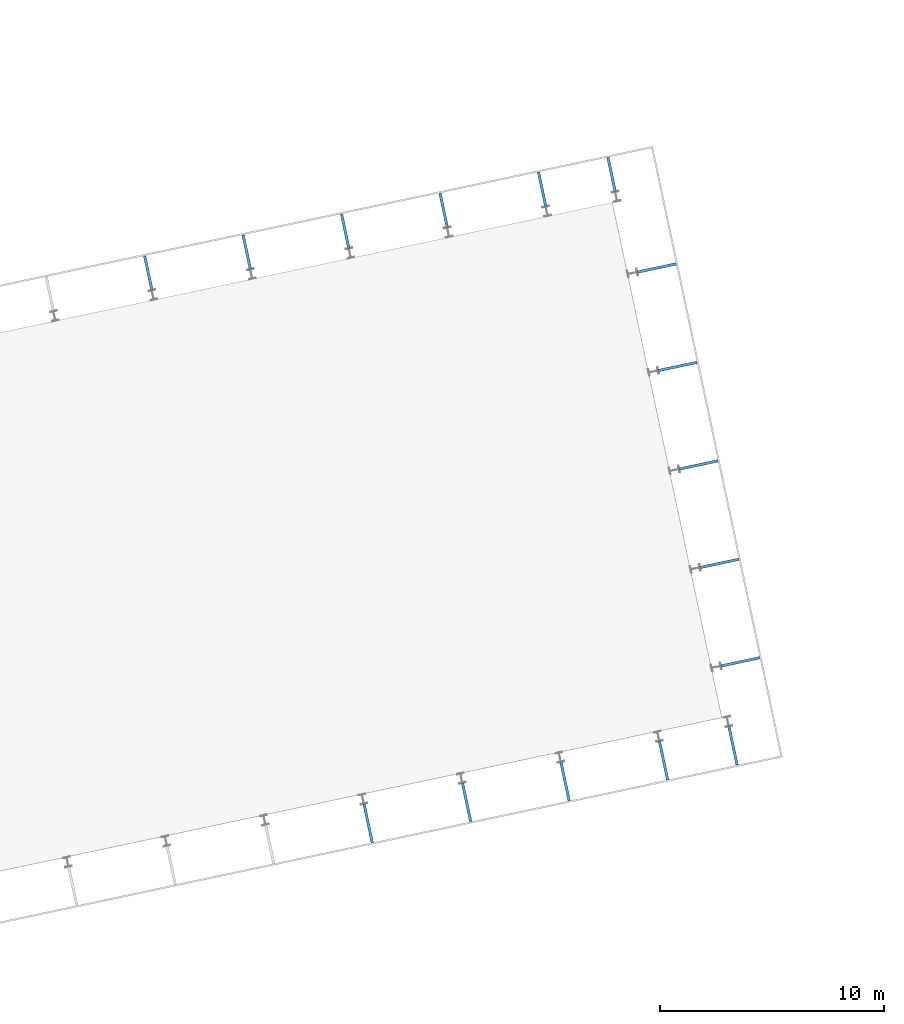
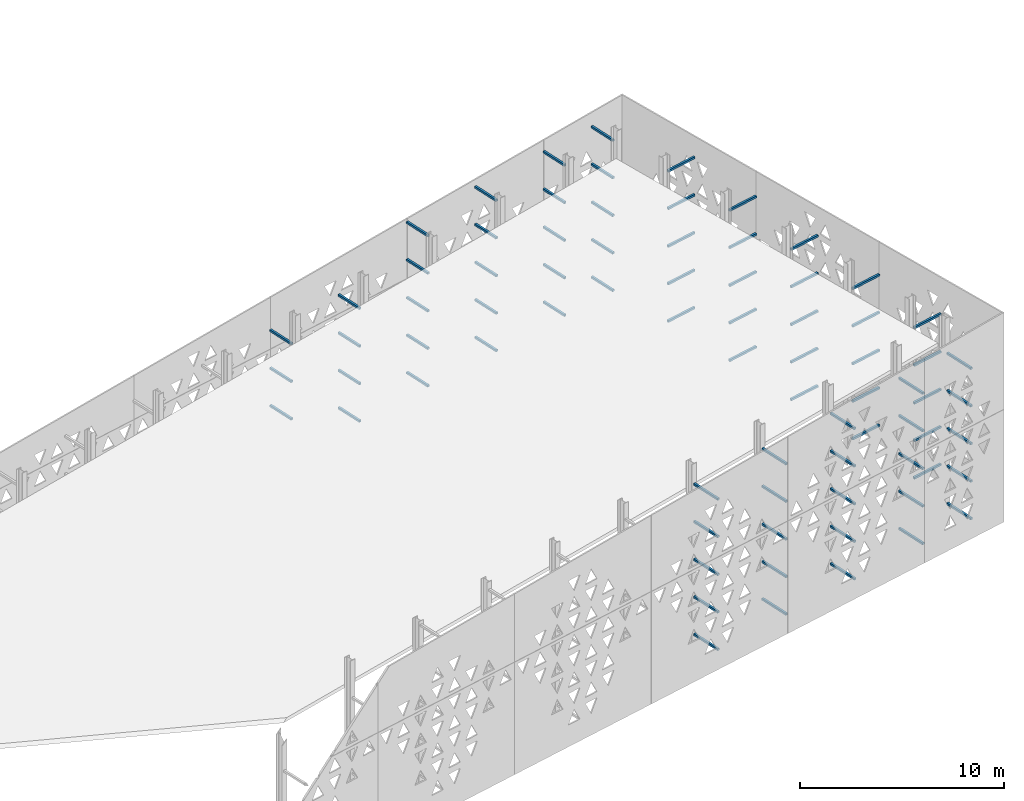
# One storey, part 33 of 41: 77 discrete accessories.
"""IFC4 building model written with IfcOpenShell, lengths in metres."""

from ifc_helpers import new_model, si_unit, direction, frame, origin, origin_2d, place, context, subcontext, project, spatial, rectangle, extrude, material, material_profile, profile_set, type_object, element, save


model = new_model("IFC4")

# Units and contexts
model_context = context("Model", 3, precision=1e-05, world=origin(), true_north=direction((0.0, 1.0)))
body_context = subcontext(model_context, "Body", "Model", "MODEL_VIEW")
ifc_project = project(units=[si_unit("LENGTHUNIT", "METRE"), si_unit("AREAUNIT", "SQUARE_METRE"), si_unit("VOLUMEUNIT", "CUBIC_METRE"), si_unit("PLANEANGLEUNIT", "RADIAN"), si_unit("MASSUNIT", "GRAM", prefix="KILO")], contexts=[model_context])

# Site, building, storey
site_placement = place(None, origin())
site = spatial("IfcSite", under=ifc_project, at=site_placement, CompositionType="ELEMENT")
building_placement = place(site_placement, origin())
building = spatial("IfcBuilding", under=site, at=building_placement, Name="Okhra Congress Centre", CompositionType="ELEMENT")
storey_placement = place(building_placement, frame((0.0, 0.0, 21.60009765625)))
storey = spatial("IfcBuildingStorey", under=building, at=storey_placement, Name="ROOF", CompositionType="ELEMENT", Elevation=21.60009765625)

# Discrete accessories
ifc_material = material(Name="Steel S355J2 outrigger, galvanised", Category="steel")
ifc_material_profile = material_profile(ifc_material, rectangle(XDim=0.1201171875, YDim=0.1201171875, at=origin_2d()), Name="Screen outrigger bracket 120x120")
ifc_profile_set = profile_set([ifc_material_profile], Name="Steel S355J2 outrigger, galvanised")
discrete_accessory_type = type_object("IfcDiscreteAccessoryType", Name="Screen outrigger bracket 120x120", PredefinedType="BRACKET", material=ifc_profile_set)
for number, where, z_axis, x_axis, name in (
    (1, (192.427001953125, 79.503662109375, 3.56982421875), (-0.207952044176, 0.978139022493, 0.0), (-0.978139022493, -0.207952044176, 0.0), "Screen outrigger 570"),
    (2, (192.427001953125, 79.503662109375, 5.809814453125), (-0.207952044176, 0.978139022493, 0.0), (-0.978139022493, -0.207952044176, 0.0), "Screen outrigger 571"),
    (3, (192.427001953125, 79.503662109375, 8.06982421875), (-0.207952044176, 0.978139022493, 0.0), (-0.978139022493, -0.207952044176, 0.0), "Screen outrigger 572"),
):
    element("IfcDiscreteAccessory", number, at=place(storey_placement, frame(where, z_axis=z_axis, x_axis=x_axis)), inside=storey, type_object=discrete_accessory_type, Name=name, PredefinedType="BRACKET", context=body_context, shape_type="SweptSolid", body=[
        extrude(rectangle(XDim=0.1201171875, YDim=0.1201171875, at=origin_2d()), origin(), (0.0, 0.0, 1.0), 1.56494140625),
    ])
for number, where, z_axis, x_axis, name in (
    (4, (201.909912109375, 56.533447265625, 1.329833984375), (0.207885223274, -0.97815322621, 0.0), (0.97815322621, 0.207885223274, 0.0), "Screen outrigger 579"),
    (5, (201.909912109375, 56.533447265625, 3.56982421875), (0.207885223274, -0.97815322621, 0.0), (0.97815322621, 0.207885223274, 0.0), "Screen outrigger 580"),
    (6, (201.909912109375, 56.533447265625, 5.809814453125), (0.207885223274, -0.97815322621, 0.0), (0.97815322621, 0.207885223274, 0.0), "Screen outrigger 581"),
    (7, (201.909912109375, 56.533447265625, 8.06982421875), (0.207885223274, -0.97815322621, 0.0), (0.97815322621, 0.207885223274, 0.0), "Screen outrigger 582"),
    (8, (201.909912109375, 56.533447265625, 10.309814453125), (0.207885223274, -0.97815322621, 0.0), (0.97815322621, 0.207885223274, 0.0), "Screen outrigger 583"),
):
    element("IfcDiscreteAccessory", number, at=place(storey_placement, frame(where, z_axis=z_axis, x_axis=x_axis)), inside=storey, type_object=discrete_accessory_type, Name=name, PredefinedType="BRACKET", context=body_context, shape_type="SweptSolid", body=[
        extrude(rectangle(XDim=0.1201171875, YDim=0.1201171875, at=origin_2d()), origin(), (0.0, 0.0, 1.0), 1.76513671875),
    ])
for number, where, z_axis, x_axis, name in (
    (9, (196.82861328125, 80.439208984375, 1.329833984375), (-0.207952044176, 0.978139022493, 0.0), (-0.978139022493, -0.207952044176, 0.0), "Screen outrigger 590"),
    (10, (196.82861328125, 80.439208984375, 3.56982421875), (-0.207952044176, 0.978139022493, 0.0), (-0.978139022493, -0.207952044176, 0.0), "Screen outrigger 591"),
    (11, (196.82861328125, 80.439208984375, 5.809814453125), (-0.207952044176, 0.978139022493, 0.0), (-0.978139022493, -0.207952044176, 0.0), "Screen outrigger 592"),
    (12, (196.82861328125, 80.439208984375, 8.06982421875), (-0.207952044176, 0.978139022493, 0.0), (-0.978139022493, -0.207952044176, 0.0), "Screen outrigger 593"),
):
    element("IfcDiscreteAccessory", number, at=place(storey_placement, frame(where, z_axis=z_axis, x_axis=x_axis)), inside=storey, type_object=discrete_accessory_type, Name=name, PredefinedType="BRACKET", context=body_context, shape_type="SweptSolid", body=[
        extrude(rectangle(XDim=0.1201171875, YDim=0.1201171875, at=origin_2d()), origin(), (0.0, 0.0, 1.0), 1.56494140625),
    ])
for number, where, z_axis, x_axis, name in (
    (13, (206.311767578125, 57.468994140625, 1.329833984375), (0.207885223274, -0.97815322621, 0.0), (0.97815322621, 0.207885223274, 0.0), "Screen outrigger 600"),
    (14, (206.311767578125, 57.468994140625, 3.56982421875), (0.207885223274, -0.97815322621, 0.0), (0.97815322621, 0.207885223274, 0.0), "Screen outrigger 601"),
    (15, (206.311767578125, 57.468994140625, 5.809814453125), (0.207885223274, -0.97815322621, 0.0), (0.97815322621, 0.207885223274, 0.0), "Screen outrigger 602"),
    (16, (206.311767578125, 57.468994140625, 8.06982421875), (0.207885223274, -0.97815322621, 0.0), (0.97815322621, 0.207885223274, 0.0), "Screen outrigger 603"),
    (17, (206.311767578125, 57.468994140625, 10.309814453125), (0.207885223274, -0.97815322621, 0.0), (0.97815322621, 0.207885223274, 0.0), "Screen outrigger 604"),
):
    element("IfcDiscreteAccessory", number, at=place(storey_placement, frame(where, z_axis=z_axis, x_axis=x_axis)), inside=storey, type_object=discrete_accessory_type, Name=name, PredefinedType="BRACKET", context=body_context, shape_type="SweptSolid", body=[
        extrude(rectangle(XDim=0.1201171875, YDim=0.1201171875, at=origin_2d()), origin(), (0.0, 0.0, 1.0), 1.76513671875),
    ])
for number, where, z_axis, x_axis, name in (
    (18, (201.230224609375, 81.374755859375, 1.329833984375), (-0.207920316953, 0.978145767152, 0.0), (-0.978145767152, -0.207920316953, 0.0), "Screen outrigger 611"),
    (19, (201.230224609375, 81.374755859375, 3.56982421875), (-0.207920316953, 0.978145767152, 0.0), (-0.978145767152, -0.207920316953, 0.0), "Screen outrigger 612"),
    (20, (201.230224609375, 81.374755859375, 5.809814453125), (-0.207920316953, 0.978145767152, 0.0), (-0.978145767152, -0.207920316953, 0.0), "Screen outrigger 613"),
    (21, (201.230224609375, 81.374755859375, 8.06982421875), (-0.207920316953, 0.978145767152, 0.0), (-0.978145767152, -0.207920316953, 0.0), "Screen outrigger 614"),
    (22, (201.230224609375, 81.374755859375, 10.309814453125), (-0.207920316953, 0.978145767152, 0.0), (-0.978145767152, -0.207920316953, 0.0), "Screen outrigger 615"),
):
    element("IfcDiscreteAccessory", number, at=place(storey_placement, frame(where, z_axis=z_axis, x_axis=x_axis)), inside=storey, type_object=discrete_accessory_type, Name=name, PredefinedType="BRACKET", context=body_context, shape_type="SweptSolid", body=[
        extrude(rectangle(XDim=0.1201171875, YDim=0.1201171875, at=origin_2d()), origin(), (0.0, 0.0, 1.0), 1.565185546875),
    ])
for number, where, z_axis, x_axis, name in (
    (23, (210.71337890625, 58.404541015625, 1.329833984375), (0.207913352163, -0.978147247602, 0.0), (0.978147247602, 0.207913352163, 0.0), "Screen outrigger 622"),
    (24, (210.71337890625, 58.404541015625, 3.56982421875), (0.207913352163, -0.978147247602, 0.0), (0.978147247602, 0.207913352163, 0.0), "Screen outrigger 623"),
    (25, (210.71337890625, 58.404541015625, 5.809814453125), (0.207913352163, -0.978147247602, 0.0), (0.978147247602, 0.207913352163, 0.0), "Screen outrigger 624"),
    (26, (210.71337890625, 58.404541015625, 8.06982421875), (0.207913352163, -0.978147247602, 0.0), (0.978147247602, 0.207913352163, 0.0), "Screen outrigger 625"),
    (27, (210.71337890625, 58.404541015625, 10.309814453125), (0.207913352163, -0.978147247602, 0.0), (0.978147247602, 0.207913352163, 0.0), "Screen outrigger 626"),
):
    element("IfcDiscreteAccessory", number, at=place(storey_placement, frame(where, z_axis=z_axis, x_axis=x_axis)), inside=storey, type_object=discrete_accessory_type, Name=name, PredefinedType="BRACKET", context=body_context, shape_type="SweptSolid", body=[
        extrude(rectangle(XDim=0.1201171875, YDim=0.1201171875, at=origin_2d()), origin(), (0.0, 0.0, 1.0), 1.764892578125),
    ])
for number, where, z_axis, x_axis, name in (
    (28, (205.6318359375, 82.310546875, 1.329833984375), (-0.207802780084, 0.978170744088, 0.0), (-0.978170744088, -0.207802780084, 0.0), "Screen outrigger 633"),
    (29, (205.6318359375, 82.310546875, 3.56982421875), (-0.207802780084, 0.978170744088, 0.0), (-0.978170744088, -0.207802780084, 0.0), "Screen outrigger 634"),
    (30, (205.6318359375, 82.310546875, 5.809814453125), (-0.207802780084, 0.978170744088, 0.0), (-0.978170744088, -0.207802780084, 0.0), "Screen outrigger 635"),
    (31, (205.6318359375, 82.310546875, 8.06982421875), (-0.207802780084, 0.978170744088, 0.0), (-0.978170744088, -0.207802780084, 0.0), "Screen outrigger 636"),
    (32, (205.6318359375, 82.310546875, 10.309814453125), (-0.207802780084, 0.978170744088, 0.0), (-0.978170744088, -0.207802780084, 0.0), "Screen outrigger 637"),
):
    element("IfcDiscreteAccessory", number, at=place(storey_placement, frame(where, z_axis=z_axis, x_axis=x_axis)), inside=storey, type_object=discrete_accessory_type, Name=name, PredefinedType="BRACKET", context=body_context, shape_type="SweptSolid", body=[
        extrude(rectangle(XDim=0.1201171875, YDim=0.1201171875, at=origin_2d()), origin(), (0.0, 0.0, 1.0), 1.56494140625),
    ])
for number, where, z_axis, x_axis, name in (
    (33, (215.114990234375, 59.340087890625, 1.329833984375), (0.207913352163, -0.978147247602, 0.0), (0.978147247602, 0.207913352163, 0.0), "Screen outrigger 644"),
    (34, (215.114990234375, 59.340087890625, 3.56982421875), (0.207913352163, -0.978147247602, 0.0), (0.978147247602, 0.207913352163, 0.0), "Screen outrigger 645"),
    (35, (215.114990234375, 59.340087890625, 5.809814453125), (0.207913352163, -0.978147247602, 0.0), (0.978147247602, 0.207913352163, 0.0), "Screen outrigger 646"),
    (36, (215.114990234375, 59.340087890625, 8.06982421875), (0.207913352163, -0.978147247602, 0.0), (0.978147247602, 0.207913352163, 0.0), "Screen outrigger 647"),
    (37, (215.114990234375, 59.340087890625, 10.309814453125), (0.207913352163, -0.978147247602, 0.0), (0.978147247602, 0.207913352163, 0.0), "Screen outrigger 648"),
):
    element("IfcDiscreteAccessory", number, at=place(storey_placement, frame(where, z_axis=z_axis, x_axis=x_axis)), inside=storey, type_object=discrete_accessory_type, Name=name, PredefinedType="BRACKET", context=body_context, shape_type="SweptSolid", body=[
        extrude(rectangle(XDim=0.1201171875, YDim=0.1201171875, at=origin_2d()), origin(), (0.0, 0.0, 1.0), 1.764892578125),
    ])
for number, where, z_axis, x_axis, name in (
    (38, (210.03369140625, 83.24609375, 1.329833984375), (-0.207952044176, 0.978139022493, 0.0), (-0.978139022493, -0.207952044176, 0.0), "Screen outrigger 655"),
    (39, (210.03369140625, 83.24609375, 3.56982421875), (-0.207952044176, 0.978139022493, 0.0), (-0.978139022493, -0.207952044176, 0.0), "Screen outrigger 656"),
    (40, (210.03369140625, 83.24609375, 5.809814453125), (-0.207952044176, 0.978139022493, 0.0), (-0.978139022493, -0.207952044176, 0.0), "Screen outrigger 657"),
    (41, (210.03369140625, 83.24609375, 8.06982421875), (-0.207952044176, 0.978139022493, 0.0), (-0.978139022493, -0.207952044176, 0.0), "Screen outrigger 658"),
    (42, (210.03369140625, 83.24609375, 10.309814453125), (-0.207952044176, 0.978139022493, 0.0), (-0.978139022493, -0.207952044176, 0.0), "Screen outrigger 659"),
):
    element("IfcDiscreteAccessory", number, at=place(storey_placement, frame(where, z_axis=z_axis, x_axis=x_axis)), inside=storey, type_object=discrete_accessory_type, Name=name, PredefinedType="BRACKET", context=body_context, shape_type="SweptSolid", body=[
        extrude(rectangle(XDim=0.1201171875, YDim=0.1201171875, at=origin_2d()), origin(), (0.0, 0.0, 1.0), 1.56494140625),
    ])
for number, where, z_axis, x_axis, name in (
    (43, (218.220703125, 60.000244140625, 1.329833984375), (0.207913352163, -0.978147247602, 0.0), (0.978147247602, 0.207913352163, 0.0), "Screen outrigger 666"),
    (44, (218.220703125, 60.000244140625, 3.56982421875), (0.207913352163, -0.978147247602, 0.0), (0.978147247602, 0.207913352163, 0.0), "Screen outrigger 667"),
    (45, (218.220703125, 60.000244140625, 5.809814453125), (0.207913352163, -0.978147247602, 0.0), (0.978147247602, 0.207913352163, 0.0), "Screen outrigger 668"),
    (46, (218.220703125, 60.000244140625, 8.06982421875), (0.207913352163, -0.978147247602, 0.0), (0.978147247602, 0.207913352163, 0.0), "Screen outrigger 669"),
    (47, (218.220703125, 60.000244140625, 10.309814453125), (0.207913352163, -0.978147247602, 0.0), (0.978147247602, 0.207913352163, 0.0), "Screen outrigger 670"),
):
    element("IfcDiscreteAccessory", number, at=place(storey_placement, frame(where, z_axis=z_axis, x_axis=x_axis)), inside=storey, type_object=discrete_accessory_type, Name=name, PredefinedType="BRACKET", context=body_context, shape_type="SweptSolid", body=[
        extrude(rectangle(XDim=0.1201171875, YDim=0.1201171875, at=origin_2d()), origin(), (0.0, 0.0, 1.0), 1.764892578125),
    ])
for number, where, z_axis, x_axis, name in (
    (48, (213.13916015625, 83.90625, 1.329833984375), (-0.207802780084, 0.978170744088, 0.0), (-0.978170744088, -0.207802780084, 0.0), "Screen outrigger 677"),
    (49, (213.13916015625, 83.90625, 3.56982421875), (-0.207802780084, 0.978170744088, 0.0), (-0.978170744088, -0.207802780084, 0.0), "Screen outrigger 678"),
    (50, (213.13916015625, 83.90625, 5.809814453125), (-0.207802780084, 0.978170744088, 0.0), (-0.978170744088, -0.207802780084, 0.0), "Screen outrigger 679"),
    (51, (213.13916015625, 83.90625, 8.06982421875), (-0.207802780084, 0.978170744088, 0.0), (-0.978170744088, -0.207802780084, 0.0), "Screen outrigger 680"),
    (52, (213.13916015625, 83.90625, 10.309814453125), (-0.207802780084, 0.978170744088, 0.0), (-0.978170744088, -0.207802780084, 0.0), "Screen outrigger 681"),
):
    element("IfcDiscreteAccessory", number, at=place(storey_placement, frame(where, z_axis=z_axis, x_axis=x_axis)), inside=storey, type_object=discrete_accessory_type, Name=name, PredefinedType="BRACKET", context=body_context, shape_type="SweptSolid", body=[
        extrude(rectangle(XDim=0.1201171875, YDim=0.1201171875, at=origin_2d()), origin(), (0.0, 0.0, 1.0), 1.56494140625),
    ])
for number, where, z_axis, x_axis, name in (
    (53, (217.871337890625, 62.70166015625, 1.329833984375), (0.978147247602, 0.207913352163, 0.0), (-0.207913352163, 0.978147247602, 0.0), "Screen outrigger 696"),
    (54, (217.871337890625, 62.70166015625, 3.56982421875), (0.978147247602, 0.207913352163, 0.0), (-0.207913352163, 0.978147247602, 0.0), "Screen outrigger 697"),
    (55, (217.871337890625, 62.70166015625, 5.809814453125), (0.978147247602, 0.207913352163, 0.0), (-0.207913352163, 0.978147247602, 0.0), "Screen outrigger 698"),
    (56, (217.871337890625, 62.70166015625, 8.06982421875), (0.978147247602, 0.207913352163, 0.0), (-0.207913352163, 0.978147247602, 0.0), "Screen outrigger 699"),
    (57, (217.871337890625, 62.70166015625, 10.309814453125), (0.978147247602, 0.207913352163, 0.0), (-0.207913352163, 0.978147247602, 0.0), "Screen outrigger 700"),
    (58, (216.935791015625, 67.103271484375, 1.329833984375), (0.978147247602, 0.207913352163, 0.0), (-0.207913352163, 0.978147247602, 0.0), "Screen outrigger 714"),
    (59, (216.935791015625, 67.103271484375, 3.56982421875), (0.978147247602, 0.207913352163, 0.0), (-0.207913352163, 0.978147247602, 0.0), "Screen outrigger 715"),
    (60, (216.935791015625, 67.103271484375, 5.809814453125), (0.978147247602, 0.207913352163, 0.0), (-0.207913352163, 0.978147247602, 0.0), "Screen outrigger 716"),
    (61, (216.935791015625, 67.103271484375, 8.06982421875), (0.978147247602, 0.207913352163, 0.0), (-0.207913352163, 0.978147247602, 0.0), "Screen outrigger 717"),
    (62, (216.935791015625, 67.103271484375, 10.309814453125), (0.978147247602, 0.207913352163, 0.0), (-0.207913352163, 0.978147247602, 0.0), "Screen outrigger 718"),
):
    element("IfcDiscreteAccessory", number, at=place(storey_placement, frame(where, z_axis=z_axis, x_axis=x_axis)), inside=storey, type_object=discrete_accessory_type, Name=name, PredefinedType="BRACKET", context=body_context, shape_type="SweptSolid", body=[
        extrude(rectangle(XDim=0.1201171875, YDim=0.1201171875, at=origin_2d()), origin(), (0.0, 0.0, 1.0), 1.764892578125),
    ])
for number, where, z_axis, x_axis, name in (
    (63, (216.0, 71.5048828125, 1.329833984375), (0.978125092897, 0.208017553693, 0.0), (-0.208017553693, 0.978125092897, 0.0), "Screen outrigger 732"),
    (64, (216.0, 71.5048828125, 3.56982421875), (0.978125092897, 0.208017553693, 0.0), (-0.208017553693, 0.978125092897, 0.0), "Screen outrigger 733"),
    (65, (216.0, 71.5048828125, 5.809814453125), (0.978125092897, 0.208017553693, 0.0), (-0.208017553693, 0.978125092897, 0.0), "Screen outrigger 734"),
    (66, (216.0, 71.5048828125, 8.06982421875), (0.978125092897, 0.208017553693, 0.0), (-0.208017553693, 0.978125092897, 0.0), "Screen outrigger 735"),
    (67, (216.0, 71.5048828125, 10.309814453125), (0.978125092897, 0.208017553693, 0.0), (-0.208017553693, 0.978125092897, 0.0), "Screen outrigger 736"),
    (68, (215.064453125, 75.90673828125, 1.329833984375), (0.97815322621, 0.207885223274, 0.0), (-0.207885223274, 0.97815322621, 0.0), "Screen outrigger 750"),
    (69, (215.064453125, 75.90673828125, 3.56982421875), (0.97815322621, 0.207885223274, 0.0), (-0.207885223274, 0.97815322621, 0.0), "Screen outrigger 751"),
    (70, (215.064453125, 75.90673828125, 5.809814453125), (0.97815322621, 0.207885223274, 0.0), (-0.207885223274, 0.97815322621, 0.0), "Screen outrigger 752"),
    (71, (215.064453125, 75.90673828125, 8.06982421875), (0.97815322621, 0.207885223274, 0.0), (-0.207885223274, 0.97815322621, 0.0), "Screen outrigger 753"),
    (72, (215.064453125, 75.90673828125, 10.309814453125), (0.97815322621, 0.207885223274, 0.0), (-0.207885223274, 0.97815322621, 0.0), "Screen outrigger 754"),
):
    element("IfcDiscreteAccessory", number, at=place(storey_placement, frame(where, z_axis=z_axis, x_axis=x_axis)), inside=storey, type_object=discrete_accessory_type, Name=name, PredefinedType="BRACKET", context=body_context, shape_type="SweptSolid", body=[
        extrude(rectangle(XDim=0.1201171875, YDim=0.1201171875, at=origin_2d()), origin(), (0.0, 0.0, 1.0), 1.76513671875),
    ])
for number, where, z_axis, x_axis, name in (
    (73, (214.12890625, 80.308349609375, 1.329833984375), (0.978147247602, 0.207913352163, 0.0), (-0.207913352163, 0.978147247602, 0.0), "Screen outrigger 768"),
    (74, (214.12890625, 80.308349609375, 3.56982421875), (0.978147247602, 0.207913352163, 0.0), (-0.207913352163, 0.978147247602, 0.0), "Screen outrigger 769"),
    (75, (214.12890625, 80.308349609375, 5.809814453125), (0.978147247602, 0.207913352163, 0.0), (-0.207913352163, 0.978147247602, 0.0), "Screen outrigger 770"),
    (76, (214.12890625, 80.308349609375, 8.06982421875), (0.978147247602, 0.207913352163, 0.0), (-0.207913352163, 0.978147247602, 0.0), "Screen outrigger 771"),
    (77, (214.12890625, 80.308349609375, 10.309814453125), (0.978147247602, 0.207913352163, 0.0), (-0.207913352163, 0.978147247602, 0.0), "Screen outrigger 772"),
):
    element("IfcDiscreteAccessory", number, at=place(storey_placement, frame(where, z_axis=z_axis, x_axis=x_axis)), inside=storey, type_object=discrete_accessory_type, Name=name, PredefinedType="BRACKET", context=body_context, shape_type="SweptSolid", body=[
        extrude(rectangle(XDim=0.1201171875, YDim=0.1201171875, at=origin_2d()), origin(), (0.0, 0.0, 1.0), 1.764892578125),
    ])

save(model, "model.ifc")
